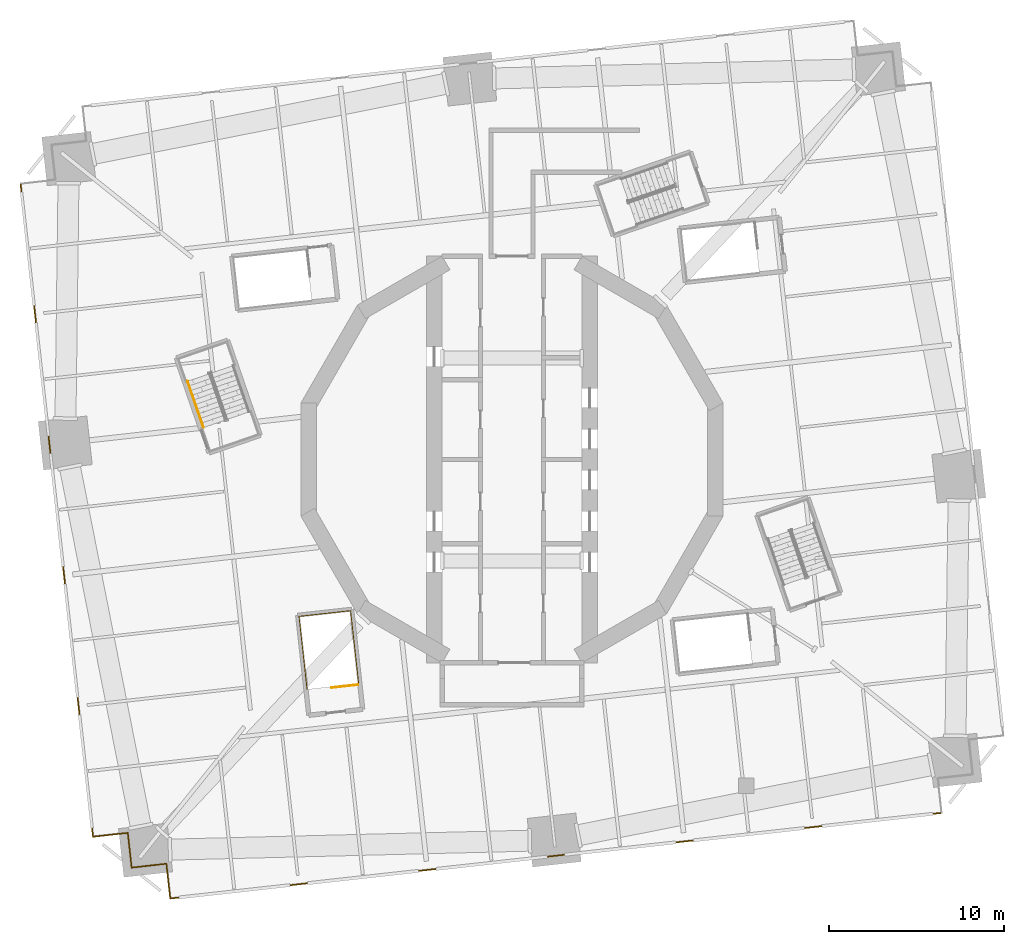
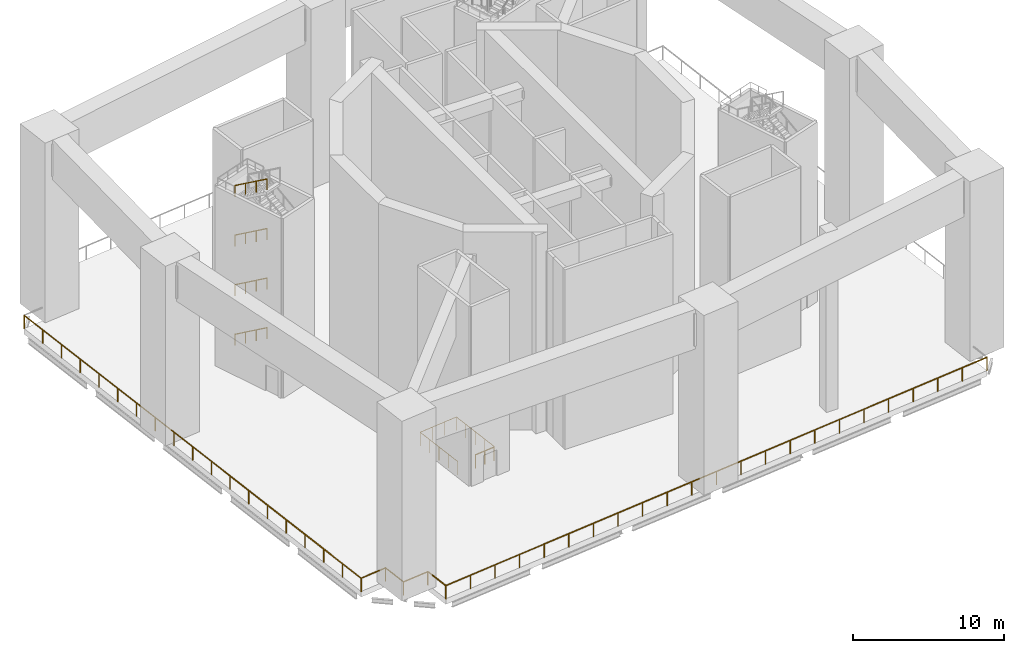
# One storey, part 9 of 13: 12 railings.
"""IFC4 building model written with IfcOpenShell, lengths in metres."""

from ifc_helpers import new_model, si_unit, direction, frame, origin, origin_2d, place, context, subcontext, project, spatial, circle, extrude, material, type_object, element, save


model = new_model("IFC4")

# Units and contexts
model_context = context("Model", 3, precision=1e-05, world=origin(), true_north=direction((0.0, 1.0)))
body_context = subcontext(model_context, "Body", "Model", "MODEL_VIEW")
ifc_project = project(units=[si_unit("LENGTHUNIT", "METRE"), si_unit("AREAUNIT", "SQUARE_METRE"), si_unit("VOLUMEUNIT", "CUBIC_METRE"), si_unit("PLANEANGLEUNIT", "RADIAN"), si_unit("MASSUNIT", "GRAM", prefix="KILO")], contexts=[model_context])

# Site, building, storey
site_placement = place(None, origin())
site = spatial("IfcSite", under=ifc_project, at=site_placement, CompositionType="ELEMENT")
building_placement = place(site_placement, origin())
building = spatial("IfcBuilding", under=site, at=building_placement, Name="Cantera Rosa Tower", CompositionType="ELEMENT")
storey_placement = place(building_placement, frame((0.0, 0.0, 84.300048828125)))
storey = spatial("IfcBuildingStorey", under=building, at=storey_placement, Name="L18", CompositionType="ELEMENT", Elevation=84.300048828125)

# Railings
ifc_material_1 = material(Name="Stainless steel and laminated glass", Category="steel")
railing_type_1 = type_object("IfcRailingType", Name="GUARD 1100", PredefinedType="BALUSTRADE", material=ifc_material_1)
railing_1_placement = place(storey_placement, frame((-28.114013671875, 15.795166015625, 0.0)))
element("IfcRailing", 1, at=railing_1_placement, inside=storey, type_object=railing_type_1, Name="PORTAL GUARD L18-10", PredefinedType="BALUSTRADE", context=body_context, shape_type="SweptSolid", body=[
    extrude(circle(Radius=0.030029296875, at=origin_2d()), frame((0.0, 0.0, 1.070068359375), z_axis=(0.110311086384, -0.993897109474, 0.0), x_axis=(0.993897109474, 0.110311086384, 0.0)), (0.0, 0.0, 1.0), 37.60009765625),
    extrude(circle(Radius=0.02490234375, at=origin_2d()), origin(), (0.0, 0.0, 1.0), 1.0400390625),
    extrude(circle(Radius=0.02490234375, at=origin_2d()), frame((0.23046875, -2.076171875, 0.0)), (0.0, 0.0, 1.0), 1.0400390625),
    extrude(circle(Radius=0.02490234375, at=origin_2d()), frame((0.4609375, -4.15234375, 0.0)), (0.0, 0.0, 1.0), 1.0400390625),
    extrude(circle(Radius=0.02490234375, at=origin_2d()), frame((0.69140625, -6.228515625, 0.0)), (0.0, 0.0, 1.0), 1.0400390625),
    extrude(circle(Radius=0.02490234375, at=origin_2d()), frame((0.921630859375, -8.3046875, 0.0)), (0.0, 0.0, 1.0), 1.0400390625),
    extrude(circle(Radius=0.02490234375, at=origin_2d()), frame((1.152099609375, -10.380615234375, 0.0)), (0.0, 0.0, 1.0), 1.0400390625),
    extrude(circle(Radius=0.02490234375, at=origin_2d()), frame((1.382568359375, -12.456787109375, 0.0)), (0.0, 0.0, 1.0), 1.0400390625),
    extrude(circle(Radius=0.02490234375, at=origin_2d()), frame((1.613037109375, -14.532958984375, 0.0)), (0.0, 0.0, 1.0), 1.0400390625),
    extrude(circle(Radius=0.02490234375, at=origin_2d()), frame((1.843505859375, -16.609130859375, 0.0)), (0.0, 0.0, 1.0), 1.0400390625),
    extrude(circle(Radius=0.02490234375, at=origin_2d()), frame((2.07373046875, -18.685302734375, 0.0)), (0.0, 0.0, 1.0), 1.0400390625),
    extrude(circle(Radius=0.02490234375, at=origin_2d()), frame((2.30419921875, -20.761474609375, 0.0)), (0.0, 0.0, 1.0), 1.0400390625),
    extrude(circle(Radius=0.02490234375, at=origin_2d()), frame((2.53466796875, -22.837646484375, 0.0)), (0.0, 0.0, 1.0), 1.0400390625),
    extrude(circle(Radius=0.02490234375, at=origin_2d()), frame((2.76513671875, -24.913818359375, 0.0)), (0.0, 0.0, 1.0), 1.0400390625),
    extrude(circle(Radius=0.02490234375, at=origin_2d()), frame((2.99560546875, -26.989990234375, 0.0)), (0.0, 0.0, 1.0), 1.0400390625),
    extrude(circle(Radius=0.02490234375, at=origin_2d()), frame((3.22607421875, -29.06591796875, 0.0)), (0.0, 0.0, 1.0), 1.0400390625),
    extrude(circle(Radius=0.02490234375, at=origin_2d()), frame((3.45654296875, -31.14208984375, 0.0)), (0.0, 0.0, 1.0), 1.0400390625),
    extrude(circle(Radius=0.02490234375, at=origin_2d()), frame((3.686767578125, -33.21826171875, 0.0)), (0.0, 0.0, 1.0), 1.0400390625),
    extrude(circle(Radius=0.02490234375, at=origin_2d()), frame((3.917236328125, -35.29443359375, 0.0)), (0.0, 0.0, 1.0), 1.0400390625),
    extrude(circle(Radius=0.02490234375, at=origin_2d()), frame((4.147705078125, -37.37060546875, 0.0)), (0.0, 0.0, 1.0), 1.0400390625),
])
railing_2_placement = place(storey_placement, frame((-23.96630859375, -21.575439453125, 0.0)))
element("IfcRailing", 2, at=railing_2_placement, inside=storey, type_object=railing_type_1, Name="PORTAL GUARD L18-11", PredefinedType="BALUSTRADE", context=body_context, shape_type="SweptSolid", body=[
    extrude(circle(Radius=0.030029296875, at=origin_2d()), frame((0.0, 0.0, 1.070068359375), z_axis=(0.993892663362, 0.110351138256, 0.0), x_axis=(-0.110351138256, 0.993892663362, 0.0)), (0.0, 0.0, 1.0), 2.0),
    extrude(circle(Radius=0.02490234375, at=origin_2d()), origin(), (0.0, 0.0, 1.0), 1.0400390625),
    extrude(circle(Radius=0.02490234375, at=origin_2d()), frame((1.98779296875, 0.220703125, 0.0)), (0.0, 0.0, 1.0), 1.0400390625),
])
railing_3_placement = place(storey_placement, frame((-21.978515625, -21.354736328125, 0.0)))
element("IfcRailing", 3, at=railing_3_placement, inside=storey, type_object=railing_type_1, Name="PORTAL GUARD L18-12", PredefinedType="BALUSTRADE", context=body_context, shape_type="SweptSolid", body=[
    extrude(circle(Radius=0.030029296875, at=origin_2d()), frame((0.0, 0.0, 1.070068359375), z_axis=(0.110351138256, -0.993892663362, 0.0), x_axis=(0.993892663362, 0.110351138256, 0.0)), (0.0, 0.0, 1.0), 2.0),
    extrude(circle(Radius=0.02490234375, at=origin_2d()), origin(), (0.0, 0.0, 1.0), 1.0400390625),
    extrude(circle(Radius=0.02490234375, at=origin_2d()), frame((0.220703125, -1.98779296875, 0.0)), (0.0, 0.0, 1.0), 1.0400390625),
])
railing_4_placement = place(storey_placement, frame((-21.7578125, -23.342529296875, 0.0)))
element("IfcRailing", 4, at=railing_4_placement, inside=storey, type_object=railing_type_1, Name="PORTAL GUARD L18-13", PredefinedType="BALUSTRADE", context=body_context, shape_type="SweptSolid", body=[
    extrude(circle(Radius=0.030029296875, at=origin_2d()), frame((0.0, 0.0, 1.070068359375), z_axis=(0.993906044505, 0.110230552467, 0.0), x_axis=(-0.110230552467, 0.993906044505, 0.0)), (0.0, 0.0, 1.0), 2.0),
    extrude(circle(Radius=0.02490234375, at=origin_2d()), origin(), (0.0, 0.0, 1.0), 1.0400390625),
    extrude(circle(Radius=0.02490234375, at=origin_2d()), frame((1.98779296875, 0.220458984375, 0.0)), (0.0, 0.0, 1.0), 1.0400390625),
])
railing_5_placement = place(storey_placement, frame((-19.77001953125, -23.1220703125, 0.0)))
element("IfcRailing", 5, at=railing_5_placement, inside=storey, type_object=railing_type_1, Name="PORTAL GUARD L18-14", PredefinedType="BALUSTRADE", context=body_context, shape_type="SweptSolid", body=[
    extrude(circle(Radius=0.030029296875, at=origin_2d()), frame((0.0, 0.0, 1.070068359375), z_axis=(0.110351138256, -0.993892663362, 0.0), x_axis=(0.993892663362, 0.110351138256, 0.0)), (0.0, 0.0, 1.0), 2.0),
    extrude(circle(Radius=0.02490234375, at=origin_2d()), origin(), (0.0, 0.0, 1.0), 1.0400390625),
    extrude(circle(Radius=0.02490234375, at=origin_2d()), frame((0.220703125, -1.98779296875, 0.0)), (0.0, 0.0, 1.0), 1.0400390625),
])
railing_6_placement = place(storey_placement, frame((-19.54931640625, -25.10986328125, 0.0)))
element("IfcRailing", 6, at=railing_6_placement, inside=storey, type_object=railing_type_1, Name="PORTAL GUARD L18-15", PredefinedType="BALUSTRADE", context=body_context, shape_type="SweptSolid", body=[
    extrude(circle(Radius=0.030029296875, at=origin_2d()), frame((0.0, 0.0, 1.070068359375), z_axis=(0.993896736841, 0.110314443738, 0.0), x_axis=(-0.110314443738, 0.993896736841, 0.0)), (0.0, 0.0, 1.0), 44.39990234375),
    extrude(circle(Radius=0.02490234375, at=origin_2d()), origin(), (0.0, 0.0, 1.0), 1.0400390625),
    extrude(circle(Radius=0.02490234375, at=origin_2d()), frame((2.005859375, 0.22265625, 0.0)), (0.0, 0.0, 1.0), 1.0400390625),
    extrude(circle(Radius=0.02490234375, at=origin_2d()), frame((4.01171875, 0.4453125, 0.0)), (0.0, 0.0, 1.0), 1.0400390625),
    extrude(circle(Radius=0.02490234375, at=origin_2d()), frame((6.017578125, 0.66796875, 0.0)), (0.0, 0.0, 1.0), 1.0400390625),
    extrude(circle(Radius=0.02490234375, at=origin_2d()), frame((8.0234375, 0.890625, 0.0)), (0.0, 0.0, 1.0), 1.0400390625),
    extrude(circle(Radius=0.02490234375, at=origin_2d()), frame((10.029296875, 1.11328125, 0.0)), (0.0, 0.0, 1.0), 1.0400390625),
    extrude(circle(Radius=0.02490234375, at=origin_2d()), frame((12.03515625, 1.335693359375, 0.0)), (0.0, 0.0, 1.0), 1.0400390625),
    extrude(circle(Radius=0.02490234375, at=origin_2d()), frame((14.041015625, 1.558349609375, 0.0)), (0.0, 0.0, 1.0), 1.0400390625),
    extrude(circle(Radius=0.02490234375, at=origin_2d()), frame((16.046875, 1.781005859375, 0.0)), (0.0, 0.0, 1.0), 1.0400390625),
    extrude(circle(Radius=0.02490234375, at=origin_2d()), frame((18.052734375, 2.003662109375, 0.0)), (0.0, 0.0, 1.0), 1.0400390625),
    extrude(circle(Radius=0.02490234375, at=origin_2d()), frame((20.05859375, 2.226318359375, 0.0)), (0.0, 0.0, 1.0), 1.0400390625),
    extrude(circle(Radius=0.02490234375, at=origin_2d()), frame((22.064453125, 2.448974609375, 0.0)), (0.0, 0.0, 1.0), 1.0400390625),
    extrude(circle(Radius=0.02490234375, at=origin_2d()), frame((24.0703125, 2.671630859375, 0.0)), (0.0, 0.0, 1.0), 1.0400390625),
    extrude(circle(Radius=0.02490234375, at=origin_2d()), frame((26.076171875, 2.894287109375, 0.0)), (0.0, 0.0, 1.0), 1.0400390625),
    extrude(circle(Radius=0.02490234375, at=origin_2d()), frame((28.08203125, 3.116943359375, 0.0)), (0.0, 0.0, 1.0), 1.0400390625),
    extrude(circle(Radius=0.02490234375, at=origin_2d()), frame((30.087890625, 3.339599609375, 0.0)), (0.0, 0.0, 1.0), 1.0400390625),
    extrude(circle(Radius=0.02490234375, at=origin_2d()), frame((32.09375, 3.562255859375, 0.0)), (0.0, 0.0, 1.0), 1.0400390625),
    extrude(circle(Radius=0.02490234375, at=origin_2d()), frame((34.099609375, 3.78466796875, 0.0)), (0.0, 0.0, 1.0), 1.0400390625),
    extrude(circle(Radius=0.02490234375, at=origin_2d()), frame((36.10546875, 4.00732421875, 0.0)), (0.0, 0.0, 1.0), 1.0400390625),
    extrude(circle(Radius=0.02490234375, at=origin_2d()), frame((38.111328125, 4.22998046875, 0.0)), (0.0, 0.0, 1.0), 1.0400390625),
    extrude(circle(Radius=0.02490234375, at=origin_2d()), frame((40.1171875, 4.45263671875, 0.0)), (0.0, 0.0, 1.0), 1.0400390625),
    extrude(circle(Radius=0.02490234375, at=origin_2d()), frame((42.123046875, 4.67529296875, 0.0)), (0.0, 0.0, 1.0), 1.0400390625),
    extrude(circle(Radius=0.02490234375, at=origin_2d()), frame((44.12890625, 4.89794921875, 0.0)), (0.0, 0.0, 1.0), 1.0400390625),
])
ifc_material_2 = material(Name="Steel S355J2 (EN 10025-2)", Category="steel")
railing_type_2 = type_object("IfcRailingType", Name="STAIR GUARD 1100", PredefinedType="GUARDRAIL", material=ifc_material_2)
railing_7_placement = place(storey_placement, frame((-8.82373046875, -12.884033203125, 0.0)))
element("IfcRailing", 7, at=railing_7_placement, inside=storey, type_object=railing_type_2, Name="L18 ST-13 top well guard 1", PredefinedType="GUARDRAIL", context=body_context, shape_type="SweptSolid", body=[
    extrude(circle(Radius=0.02392578125, at=origin_2d()), frame((0.0, 0.0, 1.076171875), z_axis=(-0.99391148972, -0.110181444005, 0.0), x_axis=(0.110181444005, -0.99391148972, 0.0)), (0.0, 0.0, 1.0), 1.5),
    extrude(circle(Radius=0.02099609375, at=origin_2d()), origin(), (0.0, 0.0, 1.0), 1.052001953125),
    extrude(circle(Radius=0.02099609375, at=origin_2d()), frame((-0.74560546875, -0.08251953125, 0.0)), (0.0, 0.0, 1.0), 1.052001953125),
    extrude(circle(Radius=0.02099609375, at=origin_2d()), frame((-1.490966796875, -0.165283203125, 0.0)), (0.0, 0.0, 1.0), 1.052001953125),
])
railing_8_placement = place(storey_placement, frame((-8.77099609375, -12.815673828125, 0.0)))
element("IfcRailing", 8, at=railing_8_placement, inside=storey, type_object=railing_type_2, Name="L18 ST-13 top well guard 2", PredefinedType="GUARDRAIL", context=body_context, shape_type="SweptSolid", body=[
    extrude(circle(Radius=0.02392578125, at=origin_2d()), frame((0.0, 0.0, 1.076171875), z_axis=(-0.110323013767, 0.9938957856, 0.0), x_axis=(-0.9938957856, -0.110323013767, 0.0)), (0.0, 0.0, 1.0), 4.197998046875),
    extrude(circle(Radius=0.02392578125, at=origin_2d()), frame((-0.463134765625, 4.17236328125, 1.076171875), z_axis=(-0.993896759678, -0.110314237986, 0.0), x_axis=(0.110314237986, -0.993896759678, 0.0)), (0.0, 0.0, 1.0), 2.969970703125),
    extrude(circle(Radius=0.02392578125, at=origin_2d()), frame((-3.4150390625, 3.8447265625, 1.076171875), z_axis=(0.110323013767, -0.9938957856, 0.0), x_axis=(0.9938957856, 0.110323013767, 0.0)), (0.0, 0.0, 1.0), 4.197998046875),
    extrude(circle(Radius=0.02099609375, at=origin_2d()), origin(), (0.0, 0.0, 1.0), 1.052001953125),
    extrude(circle(Radius=0.02099609375, at=origin_2d()), frame((-0.11572265625, 1.04296875, 0.0)), (0.0, 0.0, 1.0), 1.052001953125),
    extrude(circle(Radius=0.02099609375, at=origin_2d()), frame((-0.2314453125, 2.086181640625, 0.0)), (0.0, 0.0, 1.0), 1.052001953125),
    extrude(circle(Radius=0.02099609375, at=origin_2d()), frame((-0.347412109375, 3.12939453125, 0.0)), (0.0, 0.0, 1.0), 1.052001953125),
    extrude(circle(Radius=0.02099609375, at=origin_2d()), frame((-0.463134765625, 4.17236328125, 0.0)), (0.0, 0.0, 1.0), 1.052001953125),
    extrude(circle(Radius=0.02099609375, at=origin_2d()), frame((-1.447021484375, 4.063232421875, 0.0)), (0.0, 0.0, 1.0), 1.052001953125),
    extrude(circle(Radius=0.02099609375, at=origin_2d()), frame((-2.43115234375, 3.953857421875, 0.0)), (0.0, 0.0, 1.0), 1.052001953125),
    extrude(circle(Radius=0.02099609375, at=origin_2d()), frame((-3.4150390625, 3.8447265625, 0.0)), (0.0, 0.0, 1.0), 1.052001953125),
    extrude(circle(Radius=0.02099609375, at=origin_2d()), frame((-3.29931640625, 2.8017578125, 0.0)), (0.0, 0.0, 1.0), 1.052001953125),
    extrude(circle(Radius=0.02099609375, at=origin_2d()), frame((-3.18359375, 1.758544921875, 0.0)), (0.0, 0.0, 1.0), 1.052001953125),
    extrude(circle(Radius=0.02099609375, at=origin_2d()), frame((-3.067626953125, 0.71533203125, 0.0)), (0.0, 0.0, 1.0), 1.052001953125),
    extrude(circle(Radius=0.02099609375, at=origin_2d()), frame((-2.951904296875, -0.32763671875, 0.0)), (0.0, 0.0, 1.0), 1.052001953125),
])
ifc_material_3 = material(Name="Steel S355J2 (EN 10025-2)", Category="steel")
railing_type_3 = type_object("IfcRailingType", Name="STAIR HANDRAIL 900", PredefinedType="HANDRAIL", material=ifc_material_3)
for number, where, name in (
    (9, (-18.555908203125, 4.47607421875, 2.181884765625), "L18 ST-22 stair handrail 2"),
    (10, (-18.555908203125, 4.47607421875, 6.181884765625), "L18 ST-22 stair handrail 4"),
    (11, (-18.555908203125, 4.47607421875, 10.181884765625), "L18 ST-22 stair handrail 6"),
    (12, (-18.555908203125, 4.47607421875, 14.181884765625), "L18 ST-22 stair handrail 8"),
):
    element("IfcRailing", number, at=place(storey_placement, frame(where)), inside=storey, type_object=railing_type_3, Name=name, PredefinedType="HANDRAIL", context=body_context, shape_type="SweptSolid", body=[
        extrude(circle(Radius=0.02392578125, at=origin_2d()), frame((0.0, 0.0, 0.8759765625), z_axis=(0.273062306291, -0.793006869154, 0.544588911342), x_axis=(0.945515586558, 0.325576835135, 0.0)), (0.0, 0.0, 1.0), 3.338623046875),
        extrude(circle(Radius=0.02099609375, at=origin_2d()), origin(), (0.0, 0.0, 1.0), 0.851806640625),
        extrude(circle(Radius=0.02099609375, at=origin_2d()), frame((0.303955078125, -0.882568359375, 0.60595703125)), (0.0, 0.0, 1.0), 0.851806640625),
        extrude(circle(Radius=0.02099609375, at=origin_2d()), frame((0.607666015625, -1.764892578125, 1.212158203125)), (0.0, 0.0, 1.0), 0.851806640625),
        extrude(circle(Radius=0.02099609375, at=origin_2d()), frame((0.91162109375, -2.6474609375, 1.818115234375)), (0.0, 0.0, 1.0), 0.851806640625),
    ])

save(model, "model.ifc")
